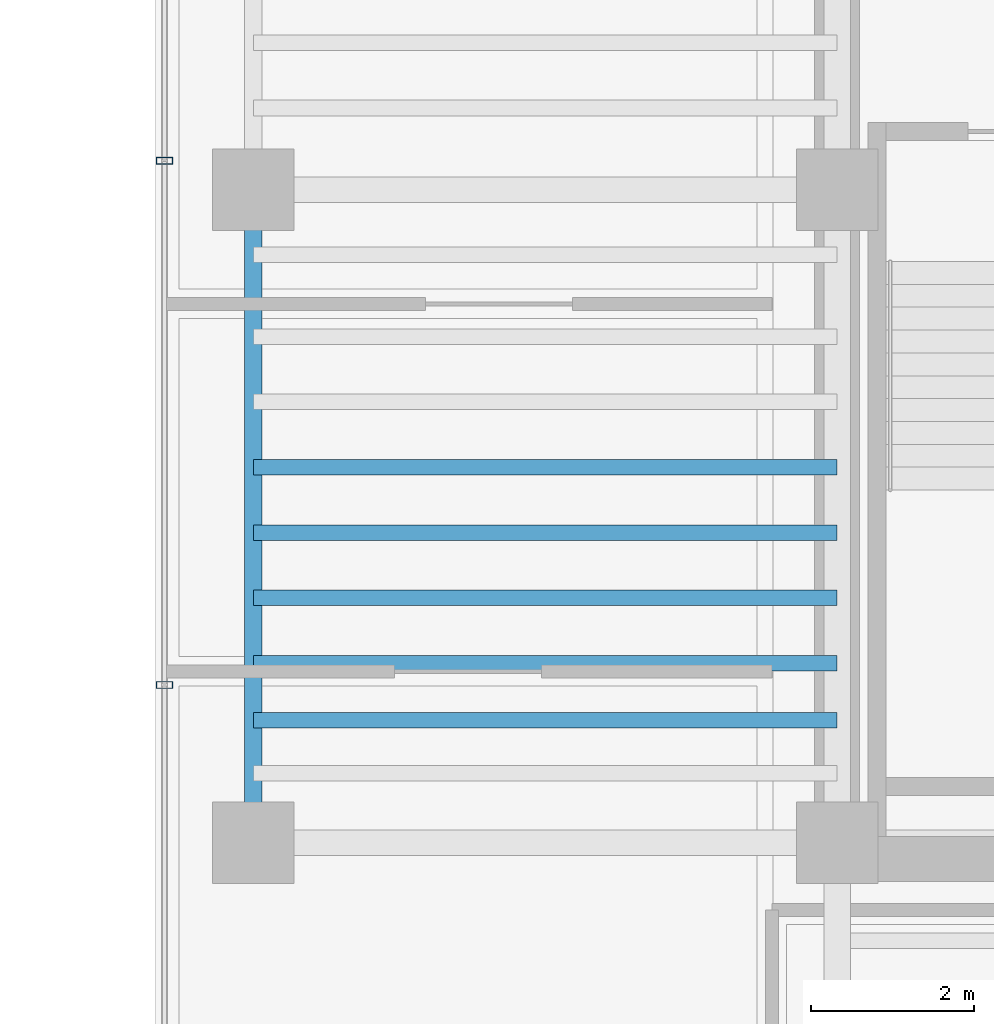
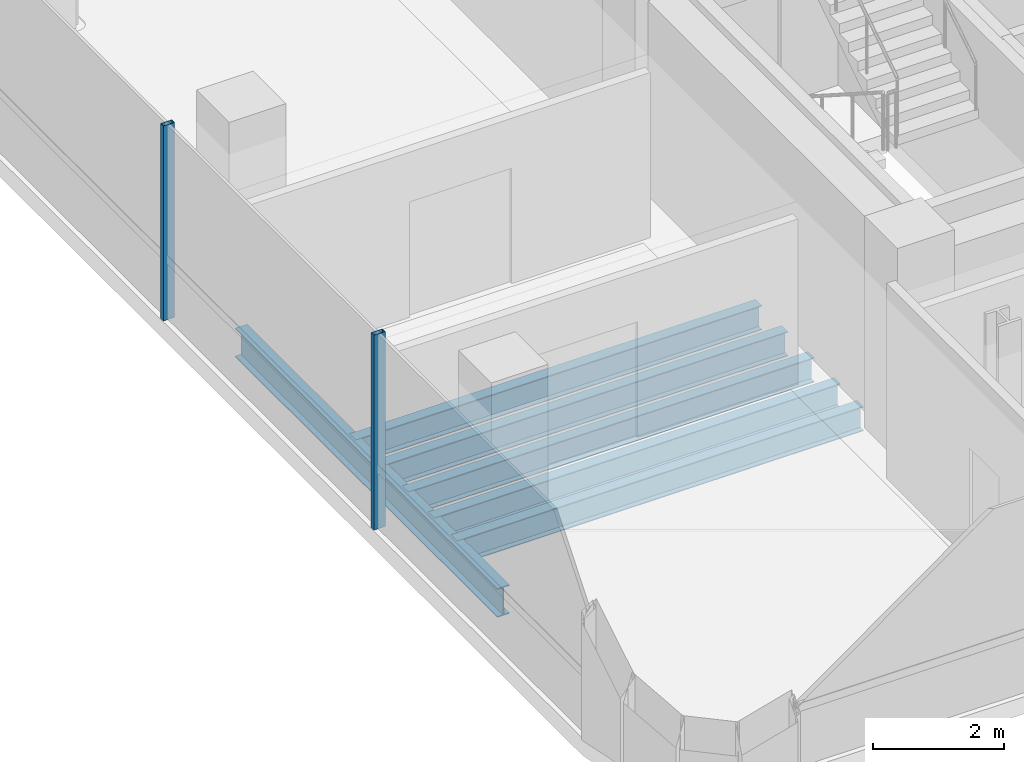
# One storey, part 4 of 37: 6 beams, 2 members, 1 element without a shape of its own.
"""IFC4 building model written with IfcOpenShell, lengths in metres."""

from ifc_helpers import new_model, si_unit, direction, frame, origin, origin_2d, place, context, subcontext, project, spatial, hollow_rectangle, i_section, extrude, source, transform, mapped, material, material_profile, profile_set, type_object, element, aggregate, save


model = new_model("IFC4")

# Units and contexts
model_context = context("Model", 3, precision=1e-05, world=origin(), true_north=direction((0.0, 1.0)))
body_context = subcontext(model_context, "Body", "Model", "MODEL_VIEW")
ifc_project = project(units=[si_unit("LENGTHUNIT", "METRE"), si_unit("AREAUNIT", "SQUARE_METRE"), si_unit("VOLUMEUNIT", "CUBIC_METRE"), si_unit("PLANEANGLEUNIT", "RADIAN"), si_unit("MASSUNIT", "GRAM", prefix="KILO")], contexts=[model_context])

# Site, building, storey
site_placement = place(None, origin())
site = spatial("IfcSite", under=ifc_project, at=site_placement, CompositionType="ELEMENT")
building_placement = place(site_placement, origin())
building = spatial("IfcBuilding", under=site, at=building_placement, Name="Valdorenza Pilgrim Sanctuary Tower", CompositionType="ELEMENT")
storey_placement = place(building_placement, frame((0.0, 0.0, 188.39990234375)))
storey = spatial("IfcBuildingStorey", under=building, at=storey_placement, Name="L48", CompositionType="ELEMENT", Elevation=188.39990234375)

# Beams
ifc_material_1 = material(Name="Steel ASTM A992 Grade 50", Category="steel")
ifc_material_profile_1 = material_profile(ifc_material_1, i_section(OverallWidth=0.19091796875, OverallDepth=0.45703125, WebThickness=0.009033203125, FlangeThickness=0.014404296875, at=origin_2d()), Name="W18X50")
ifc_profile_set_1 = profile_set([ifc_material_profile_1], Name="Steel ASTM A992 Grade 50")
beam_type_1 = type_object("IfcBeamType", Name="STR-BM-JST-W18B", PredefinedType="JOIST", material=ifc_profile_set_1)
shared_shape_1 = source(origin(), body_context, "Body", "SweptSolid", [
    extrude(i_section(OverallWidth=0.19091796875, OverallDepth=0.45703125, WebThickness=0.009033203125, FlangeThickness=0.014404296875, at=origin_2d()), origin(), (0.0, 0.0, 1.0), 7.150146484375),
])
for number, where, z_axis, x_axis, name in (
    (1, (-29.800048828125, -9.10009765625, -0.54833984375), (1.0, 0.0, 0.0), (0.0, 1.0, 0.0), "L48 Composite Floor Joist JST-WA-2"),
    (2, (-29.800048828125, -8.39990234375, -0.54833984375), (1.0, 0.0, 0.0), (0.0, 1.0, 0.0), "L48 Composite Floor Joist JST-WA-3"),
    (3, (-29.800048828125, -7.60009765625, -0.54833984375), (1.0, 0.0, 0.0), (0.0, 1.0, 0.0), "L48 Composite Floor Joist JST-WA-4"),
    (4, (-29.800048828125, -6.800048828125, -0.54833984375), (1.0, 0.0, 0.0), (0.0, 1.0, 0.0), "L48 Composite Floor Joist JST-WA-5"),
    (5, (-29.800048828125, -6.0, -0.54833984375), (1.0, 0.0, 0.0), (0.0, 1.0, 0.0), "L48 Composite Floor Joist JST-WA-6"),
):
    element("IfcBeam", number, at=place(storey_placement, frame(where, z_axis=z_axis, x_axis=x_axis)), inside=storey, type_object=beam_type_1, Name=name, PredefinedType="JOIST", context=body_context, shape_type="MappedRepresentation", body=[
        mapped(shared_shape_1, transform((0.0, 0.0, 0.0), x_axis=(1.0, 0.0, 0.0), y_axis=(0.0, 1.0, 0.0), z_axis=(0.0, 0.0, 1.0), scale=1.0)),
    ])
ifc_material_profile_2 = material_profile(ifc_material_1, i_section(OverallWidth=0.2109375, OverallDepth=0.5390625, WebThickness=0.01171875, FlangeThickness=0.018798828125, at=origin_2d()), Name="W21X73")
ifc_profile_set_2 = profile_set([ifc_material_profile_2], Name="Steel ASTM A992 Grade 50")
beam_type_2 = type_object("IfcBeamType", Name="STR-BM-SPN-W21B", PredefinedType="SPANDREL", material=ifc_profile_set_2)
shared_shape_2 = source(origin(), body_context, "Body", "SweptSolid", [
    extrude(i_section(OverallWidth=0.2109375, OverallDepth=0.5390625, WebThickness=0.01171875, FlangeThickness=0.018798828125, at=origin_2d()), origin(), (0.0, 0.0, 1.0), 8.0),
])
beam_placement = place(storey_placement, frame((-29.800048828125, -10.60009765625, -0.58935546875), z_axis=(0.0, 1.0, 0.0), x_axis=(-1.0, 0.0, 0.0)))
element("IfcBeam", 6, at=beam_placement, inside=storey, type_object=beam_type_2, Name="L48 Spandrel Beam WA-W-S1M0", PredefinedType="SPANDREL", context=body_context, shape_type="MappedRepresentation", body=[
    mapped(shared_shape_2, transform((0.0, 0.0, 0.0), x_axis=(1.0, 0.0, 0.0), y_axis=(0.0, 1.0, 0.0), z_axis=(0.0, 0.0, 1.0), scale=1.0)),
])

# Curtain wall, members
ifc_material_2 = material(Name="Curtain-wall IGU glazing", Category="glass")
curtain_wall_type = type_object("IfcCurtainWallType", Name="CW-SYS-02", PredefinedType="NOTDEFINED", material=ifc_material_2)
curtain_wall_placement = place(storey_placement, origin())
curtain_wall = element("IfcCurtainWall", 7, at=curtain_wall_placement, inside=storey, type_object=curtain_wall_type, Name="L48 Curtain Wall CW-L48-1-1S1", PredefinedType="NOTDEFINED")
ifc_material_3 = material(Name="Anodised aluminium AW-6060", Category="aluminium")
ifc_material_profile_3 = material_profile(ifc_material_3, hollow_rectangle(XDim=0.0849609375, YDim=0.199951171875, WallThickness=0.0048828125, at=origin_2d()), Name="ALU-M 200x85x5")
ifc_profile_set_3 = profile_set([ifc_material_profile_3], Name="Anodised aluminium AW-6060")
member_type = type_object("IfcMemberType", Name="CW-MUL-02", PredefinedType="MULLION", material=ifc_profile_set_3)
shared_shape_3 = source(origin(), body_context, "Body", "SweptSolid", [
    extrude(hollow_rectangle(XDim=0.0849609375, YDim=0.199951171875, WallThickness=0.0048828125, at=origin_2d()), origin(), (0.0, 0.0, 1.0), 3.630126953125),
])
member_1_placement = place(storey_placement, frame((-30.889892578125, -8.6669921875, 0.0), z_axis=(0.0, 0.0, 1.0), x_axis=(0.0, 1.0, 0.0)))
member_1 = element("IfcMember", 8, at=member_1_placement, type_object=member_type, Name="CW-L48-1-1S1 Mullion 2", PredefinedType="MULLION", context=body_context, shape_type="MappedRepresentation", body=[
    mapped(shared_shape_3, transform((0.0, 0.0, 0.0), x_axis=(1.0, 0.0, 0.0), y_axis=(0.0, 1.0, 0.0), z_axis=(0.0, 0.0, 1.0), scale=1.0)),
])
member_2_placement = place(storey_placement, frame((-30.889892578125, -2.24462890625, 0.0), z_axis=(0.0, 0.0, 1.0), x_axis=(0.0, 1.0, 0.0)))
member_2 = element("IfcMember", 9, at=member_2_placement, type_object=member_type, Name="CW-L48-1-1S1 Mullion 3", PredefinedType="MULLION", context=body_context, shape_type="MappedRepresentation", body=[
    mapped(shared_shape_3, transform((0.0, 0.0, 0.0), x_axis=(1.0, 0.0, 0.0), y_axis=(0.0, 1.0, 0.0), z_axis=(0.0, 0.0, 1.0), scale=1.0)),
])
aggregate(curtain_wall, [member_1, member_2])

save(model, "model.ifc")
